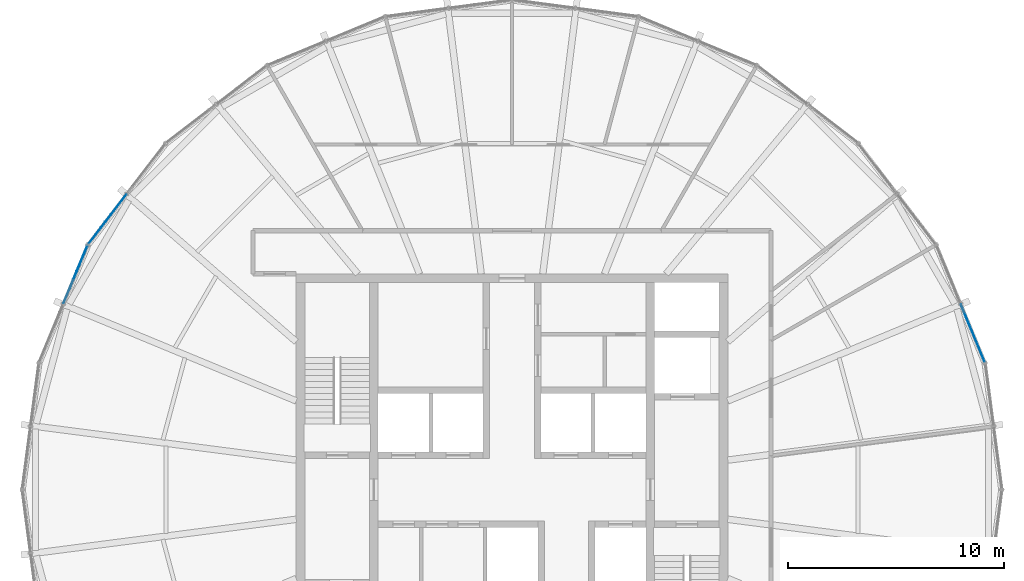
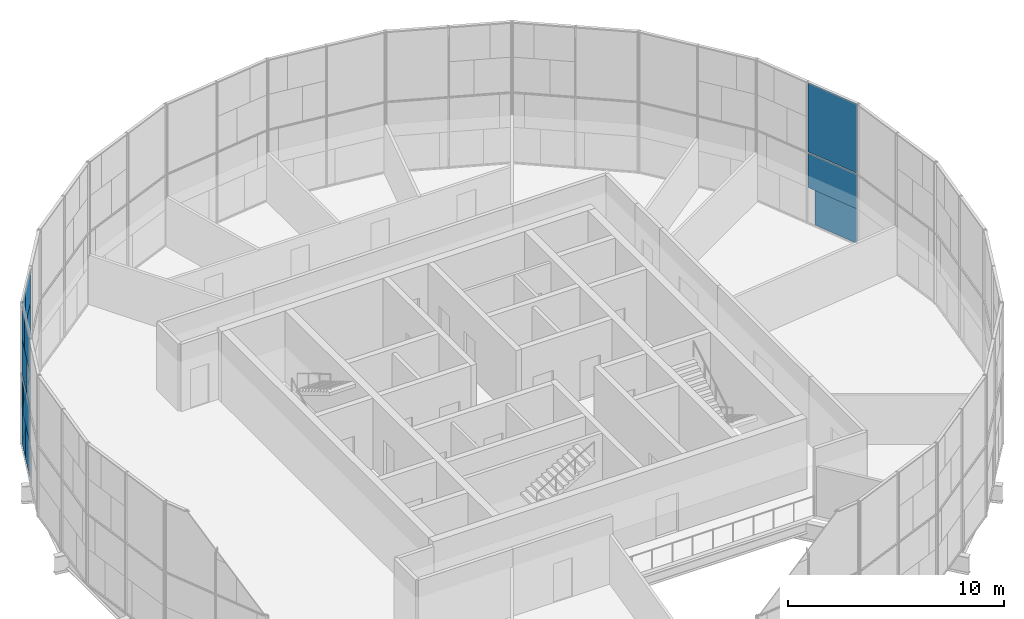
# One storey, part 13 of 19: 18 plates, 3 elements without a shape of their own.
"""IFC4 building model written with IfcOpenShell, lengths in metres."""

from ifc_helpers import new_model, si_unit, direction, frame, origin, origin_2d, place, context, subcontext, project, spatial, rectangle, extrude, material, layer, layer_set, type_object, element, aggregate, save


model = new_model("IFC4")

# Units and contexts
model_context = context("Model", 3, precision=1e-05, world=origin(), true_north=direction((0.0, 1.0)))
body_context = subcontext(model_context, "Body", "Model", "MODEL_VIEW")
ifc_project = project(units=[si_unit("LENGTHUNIT", "METRE"), si_unit("AREAUNIT", "SQUARE_METRE"), si_unit("VOLUMEUNIT", "CUBIC_METRE"), si_unit("PLANEANGLEUNIT", "RADIAN"), si_unit("MASSUNIT", "GRAM", prefix="KILO")], contexts=[model_context])

# Site, building, storey
site_placement = place(None, origin())
site = spatial("IfcSite", under=ifc_project, at=site_placement, CompositionType="ELEMENT")
building_placement = place(site_placement, origin())
building = spatial("IfcBuilding", under=site, at=building_placement, Name="Golbaran Civic Tower", CompositionType="ELEMENT")
storey_placement = place(building_placement, frame((0.0, 0.0, 240.0)))
storey = spatial("IfcBuildingStorey", under=building, at=storey_placement, Name="L58", CompositionType="ELEMENT", Elevation=240.0)

# Curtain wall, plates
ifc_material_1 = material(Name="Aluminium and glass", Category="aluminium")
curtain_wall_type = type_object("IfcCurtainWallType", Name="INNER SKIN CURTAIN WALL EXECUTIVE", PredefinedType="NOTDEFINED", material=ifc_material_1)
curtain_wall_1_placement = place(storey_placement, origin())
curtain_wall_1 = element("IfcCurtainWall", 1, at=curtain_wall_1_placement, inside=storey, type_object=curtain_wall_type, Name="Inner skin L58 facet 2 CW2", ObjectType="INNER SKIN", PredefinedType="USERDEFINED")
ifc_material_2 = material(Name="Clear insulating glass", Category="glass")
ifc_layer_1 = layer(ifc_material_2, 0.031982421875, Name="Clear insulating glass")
ifc_layer_set_1 = layer_set([ifc_layer_1], Name="Clear insulating glass")
plate_type_1 = type_object("IfcPlateType", Name="INNER SKIN CURTAIN WALL EXECUTIVE GLAZED PANEL", PredefinedType="CURTAIN_PANEL", material=ifc_layer_set_1)
plate_1_placement = place(storey_placement, frame((21.4306640625, 7.072021484375, 0.06005859375), z_axis=(0.0, 0.0, 1.0), x_axis=(-0.382683432397, 0.923879532498, 0.0)))
plate_1 = element("IfcPlate", 2, at=plate_1_placement, type_object=plate_type_1, Name="CW2 panel 1.1 part 1", PredefinedType="CURTAIN_PANEL", context=body_context, shape_type="SweptSolid", body=[
    extrude(rectangle(XDim=2.470947265625, YDim=0.031982421875, at=origin_2d()), origin(), (0.0, 0.0, 1.0), 1.955078125),
])
plate_2_placement = place(storey_placement, frame((21.353759765625, 7.2578125, 2.014892578125), z_axis=(0.0, 0.0, 1.0), x_axis=(-0.382683432397, 0.923879532498, 0.0)))
plate_2 = element("IfcPlate", 3, at=plate_2_placement, type_object=plate_type_1, Name="CW2 panel 1.1 part 3", PredefinedType="CURTAIN_PANEL", context=body_context, shape_type="SweptSolid", body=[
    extrude(rectangle(XDim=2.873046875, YDim=0.031982421875, at=origin_2d()), origin(), (0.0, 0.0, 1.0), 1.955078125),
])
plate_3_placement = place(storey_placement, frame((21.353759765625, 7.2578125, 4.0302734375), z_axis=(0.0, 0.0, 1.0), x_axis=(-0.382683432397, 0.923879532498, 0.0)))
plate_3 = element("IfcPlate", 4, at=plate_3_placement, type_object=plate_type_1, Name="CW2 panel 1.2", PredefinedType="CURTAIN_PANEL", context=body_context, shape_type="SweptSolid", body=[
    extrude(rectangle(XDim=2.873046875, YDim=0.031982421875, at=origin_2d()), origin(), (0.0, 0.0, 1.0), 3.909912109375),
])
aggregate(curtain_wall_1, [plate_1, plate_2, plate_3])

curtain_wall_2_placement = place(storey_placement, origin())
curtain_wall_2 = element("IfcCurtainWall", 5, at=curtain_wall_2_placement, inside=storey, type_object=curtain_wall_type, Name="Inner skin L58 facet 10 CW2", ObjectType="INNER SKIN", PredefinedType="USERDEFINED")
plate_4_placement = place(storey_placement, frame((-19.235595703125, 11.9013671875, 0.06005859375), z_axis=(0.0, 0.0, 1.0), x_axis=(-0.608761429009, -0.793353340291, 0.0)))
plate_4 = element("IfcPlate", 6, at=plate_4_placement, type_object=plate_type_1, Name="CW2 panel 2.1 part 2", PredefinedType="CURTAIN_PANEL", context=body_context, shape_type="SweptSolid", body=[
    extrude(rectangle(XDim=1.27001953125, YDim=0.031982421875, at=origin_2d()), origin(), (0.0, 0.0, 1.0), 1.955078125),
])
plate_5_placement = place(storey_placement, frame((-19.465087890625, 11.602294921875, 2.014892578125), z_axis=(0.0, 0.0, 1.0), x_axis=(-0.608761429009, -0.793353340291, 0.0)))
plate_5 = element("IfcPlate", 7, at=plate_5_placement, type_object=plate_type_1, Name="CW2 panel 2.1 part 4", PredefinedType="CURTAIN_PANEL", context=body_context, shape_type="SweptSolid", body=[
    extrude(rectangle(XDim=0.515869140625, YDim=0.031982421875, at=origin_2d()), origin(), (0.0, 0.0, 1.0), 1.955078125),
])
plate_6_placement = place(storey_placement, frame((-18.226318359375, 13.216796875, 4.030029296875), z_axis=(0.0, 0.0, 1.0), x_axis=(-0.608761429009, -0.793353340291, 0.0)))
plate_6 = element("IfcPlate", 8, at=plate_6_placement, type_object=plate_type_1, Name="CW2 panel 2.2 part 1", PredefinedType="CURTAIN_PANEL", context=body_context, shape_type="SweptSolid", body=[
    extrude(rectangle(XDim=1.159912109375, YDim=0.031982421875, at=origin_2d()), origin(), (0.0, 0.0, 1.0), 1.955078125),
])
plate_7_placement = place(storey_placement, frame((-18.455810546875, 12.917724609375, 5.98486328125), z_axis=(0.0, 0.0, 1.0), x_axis=(-0.608761429009, -0.793353340291, 0.0)))
plate_7 = element("IfcPlate", 9, at=plate_7_placement, type_object=plate_type_1, Name="CW2 panel 2.2 part 3", PredefinedType="CURTAIN_PANEL", context=body_context, shape_type="SweptSolid", body=[
    extrude(rectangle(XDim=1.9140625, YDim=0.031982421875, at=origin_2d()), origin(), (0.0, 0.0, 1.0), 1.955078125),
])

curtain_wall_3_placement = place(storey_placement, origin())
curtain_wall_3 = element("IfcCurtainWall", 10, at=curtain_wall_3_placement, inside=storey, type_object=curtain_wall_type, Name="Inner skin L58 facet 11 CW2", ObjectType="INNER SKIN", PredefinedType="USERDEFINED")
plate_8_placement = place(storey_placement, frame((-19.9248046875, 10.7080078125, 0.06005859375), z_axis=(0.0, 0.0, 1.0), x_axis=(-0.382683432397, -0.923879532498, 0.0)))
plate_8 = element("IfcPlate", 11, at=plate_8_placement, type_object=plate_type_1, Name="CW2 panel 1.1 part 1", PredefinedType="CURTAIN_PANEL", context=body_context, shape_type="SweptSolid", body=[
    extrude(rectangle(XDim=1.27001953125, YDim=0.031982421875, at=origin_2d()), origin(), (0.0, 0.0, 1.0), 1.955078125),
])
plate_9_placement = place(storey_placement, frame((-19.780517578125, 11.05615234375, 2.014892578125), z_axis=(0.0, 0.0, 1.0), x_axis=(-0.382683432397, -0.923879532498, 0.0)))
plate_9 = element("IfcPlate", 12, at=plate_9_placement, type_object=plate_type_1, Name="CW2 panel 1.1 part 3", PredefinedType="CURTAIN_PANEL", context=body_context, shape_type="SweptSolid", body=[
    extrude(rectangle(XDim=0.51611328125, YDim=0.031982421875, at=origin_2d()), origin(), (0.0, 0.0, 1.0), 1.955078125),
])
plate_10_placement = place(storey_placement, frame((-20.4150390625, 9.5244140625, 5.98486328125), z_axis=(0.0, 0.0, 1.0), x_axis=(-0.382683432397, -0.923879532498, 0.0)))
plate_10 = element("IfcPlate", 13, at=plate_10_placement, type_object=plate_type_1, Name="CW2 panel 1.2 part 4", PredefinedType="CURTAIN_PANEL", context=body_context, shape_type="SweptSolid", body=[
    extrude(rectangle(XDim=1.9140625, YDim=0.031982421875, at=origin_2d()), origin(), (0.0, 0.0, 1.0), 1.955078125),
])

# Plate
ifc_material_3 = material(Name="Aluminium faced opaque infill panel", Category="aluminium")
ifc_layer_2 = layer(ifc_material_3, 0.031982421875, Name="Aluminium faced opaque infill panel")
ifc_layer_set_2 = layer_set([ifc_layer_2], Name="Aluminium faced opaque infill panel")
plate_type_2 = type_object("IfcPlateType", Name="INNER SKIN CURTAIN WALL EXECUTIVE OPAQUE INFILL PANEL", PredefinedType="CURTAIN_PANEL", material=ifc_layer_set_2)
plate_11_placement = place(storey_placement, frame((-18.361328125, 13.041015625, 0.06005859375), z_axis=(0.0, 0.0, 1.0), x_axis=(-0.608761429009, -0.793353340291, 0.0)))
plate_11 = element("IfcPlate", 14, at=plate_11_placement, type_object=plate_type_2, Name="CW2 infill panel 2.1 part 1", PredefinedType="CURTAIN_PANEL", context=body_context, shape_type="SweptSolid", body=[
    extrude(rectangle(XDim=1.60302734375, YDim=0.031982421875, at=origin_2d()), origin(), (0.0, 0.0, 1.0), 1.955078125),
])

plate_12_placement = place(storey_placement, frame((-18.5908203125, 12.741943359375, 2.014892578125), z_axis=(0.0, 0.0, 1.0), x_axis=(-0.608761429009, -0.793353340291, 0.0)))
plate_12 = element("IfcPlate", 15, at=plate_12_placement, type_object=plate_type_2, Name="CW2 infill panel 2.1 part 3", PredefinedType="CURTAIN_PANEL", context=body_context, shape_type="SweptSolid", body=[
    extrude(rectangle(XDim=2.35693359375, YDim=0.031982421875, at=origin_2d()), origin(), (0.0, 0.0, 1.0), 1.955078125),
])

plate_13_placement = place(storey_placement, frame((-19.100830078125, 12.0771484375, 4.030029296875), z_axis=(0.0, 0.0, 1.0), x_axis=(-0.608761429009, -0.793353340291, 0.0)))
plate_13 = element("IfcPlate", 16, at=plate_13_placement, type_object=plate_type_2, Name="CW2 infill panel 2.2 part 2", PredefinedType="CURTAIN_PANEL", context=body_context, shape_type="SweptSolid", body=[
    extrude(rectangle(XDim=1.712890625, YDim=0.031982421875, at=origin_2d()), origin(), (0.0, 0.0, 1.0), 1.955078125),
])

plate_14_placement = place(storey_placement, frame((-19.330322265625, 11.778076171875, 5.98486328125), z_axis=(0.0, 0.0, 1.0), x_axis=(-0.608761429009, -0.793353340291, 0.0)))
plate_14 = element("IfcPlate", 17, at=plate_14_placement, type_object=plate_type_2, Name="CW2 infill panel 2.2 part 4", PredefinedType="CURTAIN_PANEL", context=body_context, shape_type="SweptSolid", body=[
    extrude(rectangle(XDim=0.958984375, YDim=0.031982421875, at=origin_2d()), origin(), (0.0, 0.0, 1.0), 1.955078125),
])

aggregate(curtain_wall_2, [plate_11, plate_4, plate_12, plate_5, plate_6, plate_13, plate_7, plate_14])

plate_15_placement = place(storey_placement, frame((-20.474365234375, 9.380859375, 0.06005859375), z_axis=(0.0, 0.0, 1.0), x_axis=(-0.382683432397, -0.923879532498, 0.0)))
plate_15 = element("IfcPlate", 18, at=plate_15_placement, type_object=plate_type_2, Name="CW2 infill panel 1.1 part 2", PredefinedType="CURTAIN_PANEL", context=body_context, shape_type="SweptSolid", body=[
    extrude(rectangle(XDim=1.60302734375, YDim=0.031982421875, at=origin_2d()), origin(), (0.0, 0.0, 1.0), 1.955078125),
])

plate_16_placement = place(storey_placement, frame((-20.330078125, 9.72900390625, 2.014892578125), z_axis=(0.0, 0.0, 1.0), x_axis=(-0.382683432397, -0.923879532498, 0.0)))
plate_16 = element("IfcPlate", 19, at=plate_16_placement, type_object=plate_type_2, Name="CW2 infill panel 1.1 part 4", PredefinedType="CURTAIN_PANEL", context=body_context, shape_type="SweptSolid", body=[
    extrude(rectangle(XDim=2.35693359375, YDim=0.031982421875, at=origin_2d()), origin(), (0.0, 0.0, 1.0), 1.955078125),
])

plate_17_placement = place(storey_placement, frame((-20.009521484375, 10.503173828125, 4.030029296875), z_axis=(0.0, 0.0, 1.0), x_axis=(-0.382683432397, -0.923879532498, 0.0)))
plate_17 = element("IfcPlate", 20, at=plate_17_placement, type_object=plate_type_2, Name="CW2 infill panel 1.2 part 1", PredefinedType="CURTAIN_PANEL", context=body_context, shape_type="SweptSolid", body=[
    extrude(rectangle(XDim=1.712890625, YDim=0.031982421875, at=origin_2d()), origin(), (0.0, 0.0, 1.0), 1.955078125),
])

plate_18_placement = place(storey_placement, frame((-19.865234375, 10.8515625, 5.98486328125), z_axis=(0.0, 0.0, 1.0), x_axis=(-0.382683432397, -0.923879532498, 0.0)))
plate_18 = element("IfcPlate", 21, at=plate_18_placement, type_object=plate_type_2, Name="CW2 infill panel 1.2 part 3", PredefinedType="CURTAIN_PANEL", context=body_context, shape_type="SweptSolid", body=[
    extrude(rectangle(XDim=0.958984375, YDim=0.031982421875, at=origin_2d()), origin(), (0.0, 0.0, 1.0), 1.955078125),
])

aggregate(curtain_wall_3, [plate_8, plate_15, plate_9, plate_16, plate_17, plate_18, plate_10])

save(model, "model.ifc")
